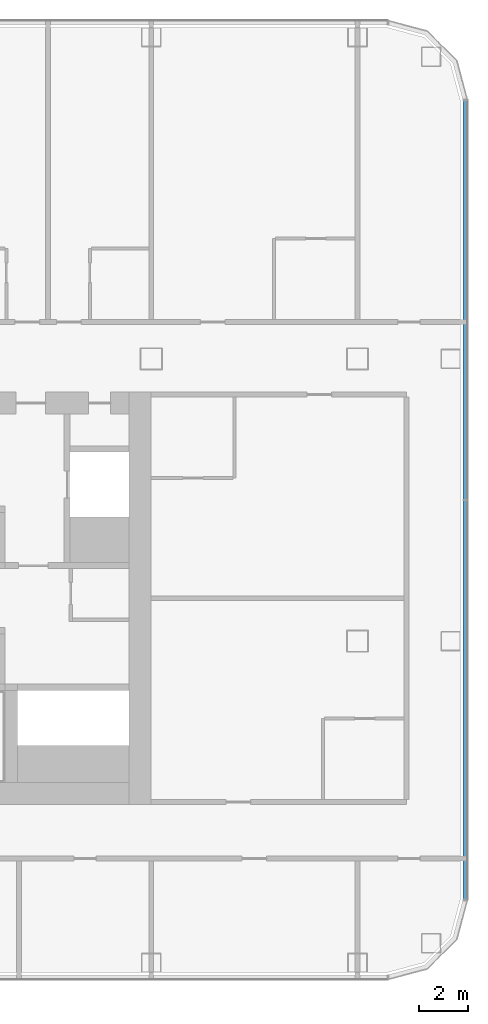
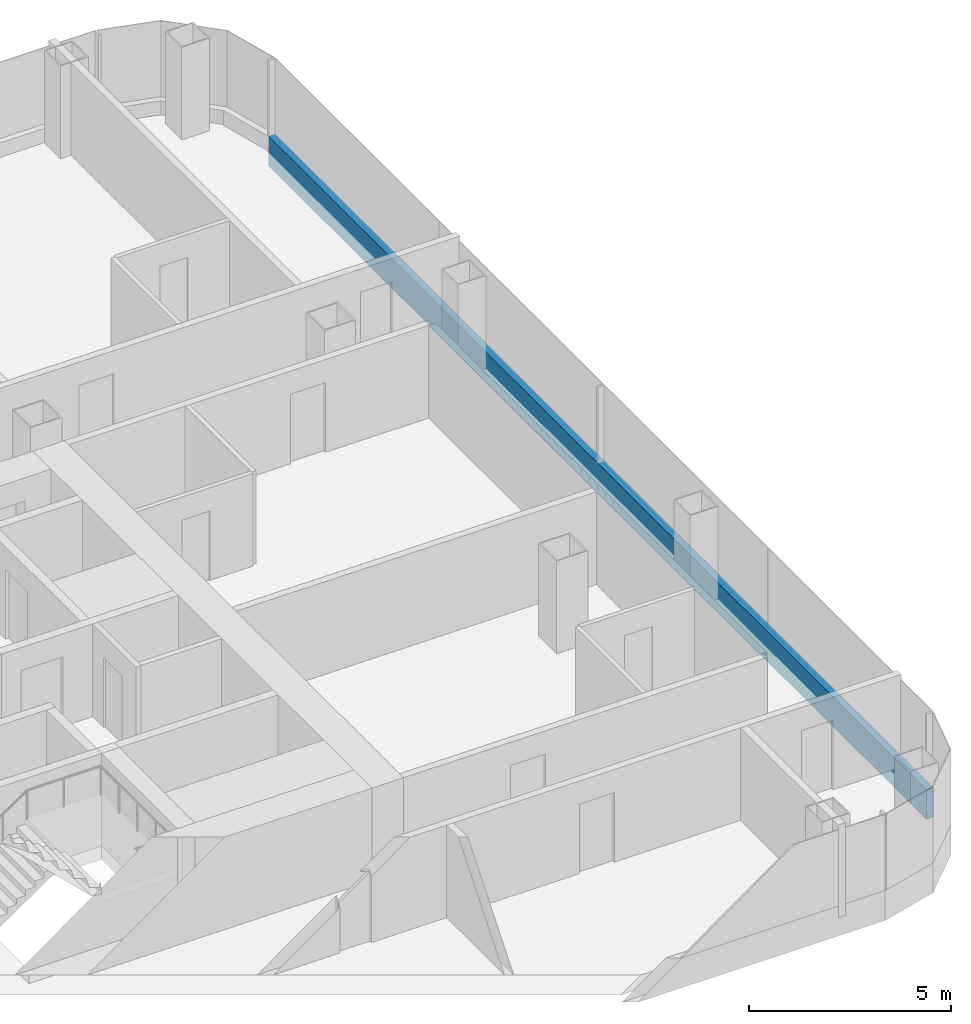
# One storey, part 12 of 29: 1 member, 1 element without a shape of its own.
"""IFC4 building model written with IfcOpenShell, lengths in metres."""

from ifc_helpers import new_model, si_unit, direction, frame, origin, origin_2d, place, context, subcontext, project, spatial, rectangle, extrude, material, layer, layer_set, material_profile, profile_set, type_object, element, aggregate, save


model = new_model("IFC4")

# Units and contexts
model_context = context("Model", 3, precision=1e-05, world=origin(), true_north=direction((0.0, 1.0)))
body_context = subcontext(model_context, "Body", "Model", "MODEL_VIEW")
ifc_project = project(units=[si_unit("LENGTHUNIT", "METRE"), si_unit("AREAUNIT", "SQUARE_METRE"), si_unit("VOLUMEUNIT", "CUBIC_METRE"), si_unit("PLANEANGLEUNIT", "RADIAN"), si_unit("MASSUNIT", "GRAM", prefix="KILO")], contexts=[model_context])

# Site, building, storey
site_placement = place(None, origin())
site = spatial("IfcSite", under=ifc_project, at=site_placement, CompositionType="ELEMENT")
building_placement = place(site_placement, origin())
building = spatial("IfcBuilding", under=site, at=building_placement, Name="Hakoniwa Tower and Hamabe Station Hall", CompositionType="ELEMENT")
storey_placement = place(building_placement, frame((0.0, 0.0, 113.800048828125)))
storey = spatial("IfcBuildingStorey", under=building, at=storey_placement, Name="L32", CompositionType="ELEMENT", Elevation=113.800048828125)

# Curtain wall, member
ifc_material_1 = material(Name="Dark low-e laminated glass", Category="glass")
ifc_layer = layer(ifc_material_1, 0.199951171875)
ifc_layer_set = layer_set([ifc_layer], Name="CW-1 UNITISED GUEST")
curtain_wall_type = type_object("IfcCurtainWallType", Name="CW-1 UNITISED GUEST", PredefinedType="NOTDEFINED", material=ifc_layer_set)
curtain_wall_placement = place(storey_placement, origin())
curtain_wall = element("IfcCurtainWall", 1, at=curtain_wall_placement, inside=storey, type_object=curtain_wall_type, Name="CW-1 curtain wall", PredefinedType="NOTDEFINED")
ifc_material_2 = material(Name="Aluminium 6063-T5 black anodised", Category="aluminium")
ifc_material_profile = material_profile(ifc_material_2, rectangle(XDim=0.199951171875, YDim=0.89990234375, at=origin_2d()), Name="CW SLAB-EDGE BAND 900X200")
ifc_profile_set = profile_set([ifc_material_profile], Name="Aluminium 6063-T5 black anodised")
member_type = type_object("IfcMemberType", Name="CW SLAB-EDGE BAND 900X200", PredefinedType="USERDEFINED", material=ifc_profile_set)
member_placement = place(storey_placement, frame((46.39990234375, -12.28955078125, -0.10009765625), z_axis=(0.0, 1.0, 0.0), x_axis=(-1.0, 0.0, 0.0)))
member = element("IfcMember", 2, at=member_placement, type_object=member_type, Name="CW-1 transom", ObjectType="TRANSOM", PredefinedType="USERDEFINED", context=body_context, shape_type="SweptSolid", body=[
    extrude(rectangle(XDim=0.199951171875, YDim=0.89990234375, at=origin_2d()), origin(), (0.0, 0.0, 1.0), 32.5791015625),
])
aggregate(curtain_wall, [member])

save(model, "model.ifc")
